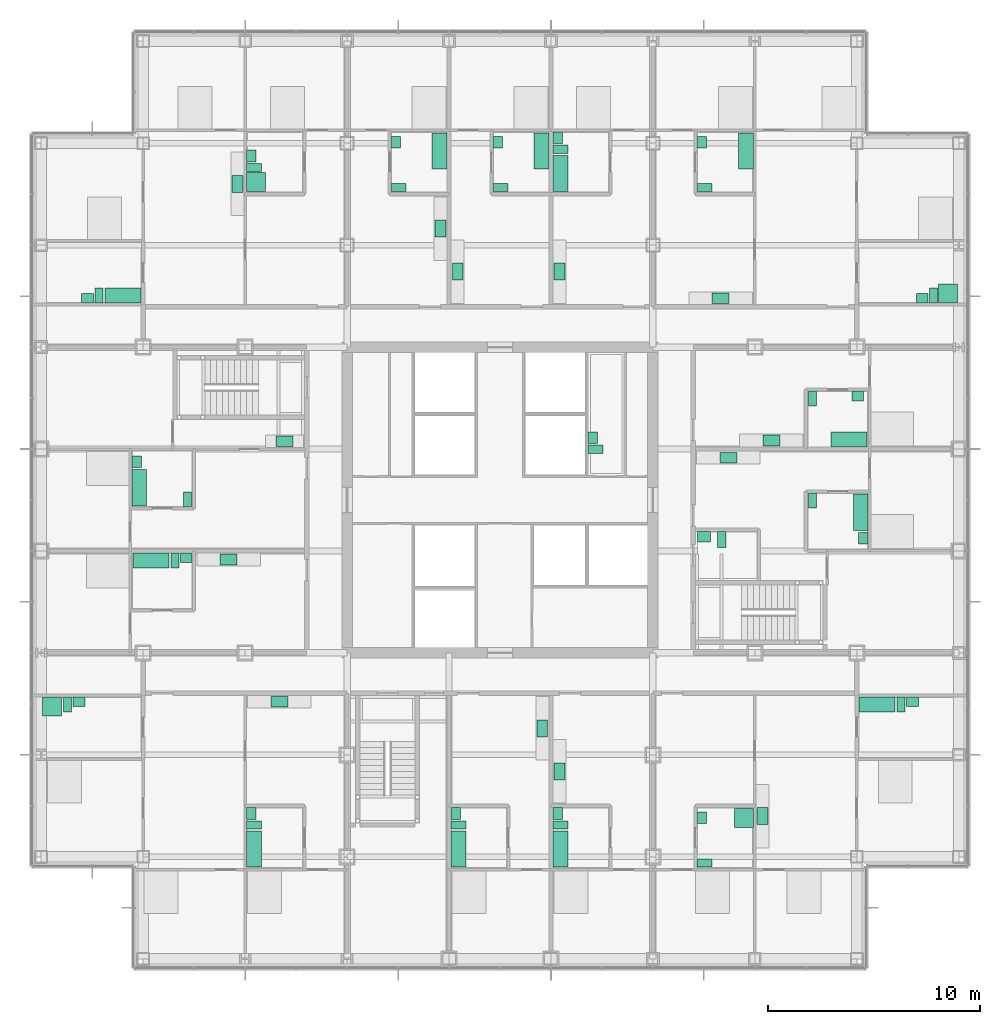
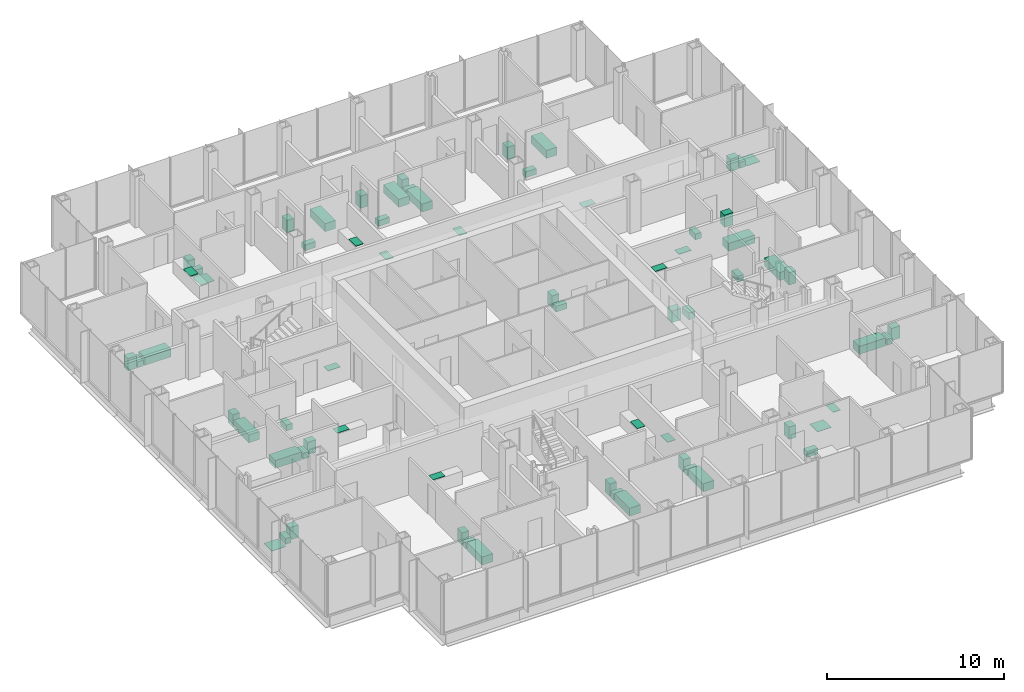
# One storey, part 20 of 21: 68 sanitary terminals.
"""IFC4 building model written with IfcOpenShell, lengths in metres."""

from ifc_helpers import new_model, si_unit, direction, frame, origin, origin_2d, place, context, subcontext, project, spatial, rectangle, extrude, material, type_object, element, save


model = new_model("IFC4")

# Units and contexts
model_context = context("Model", 3, precision=1e-05, world=origin(), true_north=direction((0.0, 1.0)))
body_context = subcontext(model_context, "Body", "Model", "MODEL_VIEW")
ifc_project = project(units=[si_unit("LENGTHUNIT", "METRE"), si_unit("AREAUNIT", "SQUARE_METRE"), si_unit("VOLUMEUNIT", "CUBIC_METRE"), si_unit("PLANEANGLEUNIT", "RADIAN"), si_unit("MASSUNIT", "GRAM", prefix="KILO")], contexts=[model_context])

# Site, building, storey
site_placement = place(None, origin())
site = spatial("IfcSite", under=ifc_project, at=site_placement, CompositionType="ELEMENT")
building_placement = place(site_placement, origin())
building = spatial("IfcBuilding", under=site, at=building_placement, Name="Kvirike Care Tower", CompositionType="ELEMENT")
storey_placement = place(building_placement, frame((0.0, 0.0, 55.0)))
storey = spatial("IfcBuildingStorey", under=building, at=storey_placement, Name="L14", CompositionType="ELEMENT", Elevation=55.0)

# Sanitary terminals
ifc_material_1 = material(Name="Vitreous china", Category="ceramic")
sanitary_terminal_type_1 = type_object("IfcSanitaryTerminalType", Name="ACCESSIBLE WASH BASIN 600 x 500", PredefinedType="WASHHANDBASIN", material=ifc_material_1)
sanitary_terminal_1_placement = place(storey_placement, frame((31.199951171875, 34.27294921875, 0.02001953125), z_axis=(0.0, 0.0, 1.0), x_axis=(1.0, 0.0, 0.0)))
element("IfcSanitaryTerminal", 1, at=sanitary_terminal_1_placement, inside=storey, type_object=sanitary_terminal_type_1, Name="Accessible wash basin L14-058", PredefinedType="WASHHANDBASIN", context=body_context, shape_type="SweptSolid", body=[
    extrude(rectangle(XDim=0.60009765625, YDim=0.5, at=origin_2d()), origin(), (0.0, 0.0, 1.0), 0.800048828125),
])
ifc_material_2 = material(Name="Vitreous china", Category="ceramic")
sanitary_terminal_type_2 = type_object("IfcSanitaryTerminalType", Name="ACCESSIBLE WC PAN 400 x 750", PredefinedType="TOILETPAN", material=ifc_material_2)
sanitary_terminal_2_placement = place(storey_placement, frame((32.050048828125, 34.14794921875, 0.02001953125), z_axis=(0.0, 0.0, 1.0), x_axis=(1.0, 0.0, 0.0)))
element("IfcSanitaryTerminal", 2, at=sanitary_terminal_2_placement, inside=storey, type_object=sanitary_terminal_type_2, Name="Accessible WC pan L14-058", PredefinedType="TOILETPAN", context=body_context, shape_type="SweptSolid", body=[
    extrude(rectangle(XDim=0.39990234375, YDim=0.75, at=origin_2d()), origin(), (0.0, 0.0, 1.0), 0.47998046875),
])
ifc_material_3 = material(Name="Enamelled steel", Category="steel")
sanitary_terminal_type_3 = type_object("IfcSanitaryTerminalType", Name="BATH 1700 x 700", PredefinedType="BATH", material=ifc_material_3)
for number, where, z_axis, x_axis, name in (
    (3, (10.011962890625, 19.56005859375, 0.02001953125), (0.0, 0.0, 1.0), (0.0, 1.0, 0.0), "Bath L14-006"),
    (4, (4.612060546875, 36.574951171875, 0.02001953125), (0.0, 0.0, 1.0), (0.0, 1.0, 0.0), "Bath L14-013"),
    (5, (5.159912109375, 33.14794921875, 0.02001953125), (0.0, 0.0, 1.0), (1.0, 0.0, 0.0), "Bath L14-017"),
    (6, (3.85009765625, 45.626953125, 0.02001953125), (0.0, 0.0, 1.0), (-1.0, 0.0, 0.0), "Bath L14-024"),
    (7, (19.652099609375, 19.56005859375, 0.02001953125), (0.0, 0.0, 1.0), (0.0, 1.0, 0.0), "Bath L14-031"),
    (8, (24.451904296875, 19.56005859375, 0.02001953125), (0.0, 0.0, 1.0), (0.0, 1.0, 0.0), "Bath L14-034"),
    (9, (24.451904296875, 51.375, 0.02001953125), (0.0, 0.0, 1.0), (0.0, 1.0, 0.0), "Bath L14-038"),
    (10, (23.548095703125, 52.43994140625, 0.02001953125), (0.0, 0.0, 1.0), (0.0, -1.0, 0.0), "Bath L14-041"),
    (11, (18.748046875, 52.43994140625, 0.02001953125), (0.0, 0.0, 1.0), (0.0, -1.0, 0.0), "Bath L14-044"),
    (12, (39.35009765625, 26.373046875, 0.02001953125), (0.0, 0.0, 1.0), (1.0, 0.0, 0.0), "Bath L14-051"),
    (13, (38.587890625, 35.425048828125, 0.02001953125), (0.0, 0.0, 1.0), (0.0, -1.0, 0.0), "Bath L14-059"),
    (14, (38.0400390625, 38.85205078125, 0.02001953125), (0.0, 0.0, 1.0), (-1.0, 0.0, 0.0), "Bath L14-062"),
    (15, (33.18798828125, 52.43994140625, 0.02001953125), (0.0, 0.0, 1.0), (0.0, -1.0, 0.0), "Bath L14-069"),
):
    element("IfcSanitaryTerminal", number, at=place(storey_placement, frame(where, z_axis=z_axis, x_axis=x_axis)), inside=storey, type_object=sanitary_terminal_type_3, Name=name, PredefinedType="BATH", context=body_context, shape_type="SweptSolid", body=[
        extrude(rectangle(XDim=1.699951171875, YDim=0.699951171875, at=origin_2d()), origin(), (0.0, 0.0, 1.0), 0.550048828125),
    ])
ifc_material_4 = material(Name="Stainless steel", Category="steel")
sanitary_terminal_type_4 = type_object("IfcSanitaryTerminalType", Name="KITCHEN SINK 800 x 500", PredefinedType="SINK", material=ifc_material_4)
for number, where, z_axis, x_axis, name in (
    (16, (11.2099609375, 26.498046875, 0.89990234375), (0.0, 0.0, 1.0), (1.0, 0.0, 0.0), "Kitchen sink L14-008"),
    (17, (11.449951171875, 38.761962890625, 0.89990234375), (0.0, 0.0, 1.0), (-1.0, 0.0, 0.0), "Kitchen sink L14-014"),
    (18, (8.824951171875, 33.197998046875, 0.89990234375), (0.0, 0.0, 1.0), (1.0, 0.0, 0.0), "Kitchen sink L14-018"),
    (19, (9.238037109375, 50.889892578125, 0.89990234375), (0.0, 0.0, 1.0), (0.0, -1.0, 0.0), "Kitchen sink L14-026"),
    (20, (23.597900390625, 25.25, 0.89990234375), (0.0, 0.0, 1.0), (0.0, -1.0, 0.0), "Kitchen sink L14-032"),
    (21, (24.402099609375, 23.22509765625, 0.89990234375), (0.0, 0.0, 1.0), (0.0, 1.0, 0.0), "Kitchen sink L14-035"),
    (22, (24.402099609375, 46.75, 0.89990234375), (0.0, 0.0, 1.0), (0.0, 1.0, 0.0), "Kitchen sink L14-039"),
    (23, (19.60205078125, 46.75, 0.89990234375), (0.0, 0.0, 1.0), (0.0, 1.0, 0.0), "Kitchen sink L14-042"),
    (24, (18.798095703125, 48.77490234375, 0.89990234375), (0.0, 0.0, 1.0), (0.0, -1.0, 0.0), "Kitchen sink L14-045"),
    (25, (33.9619140625, 21.110107421875, 0.89990234375), (0.0, 0.0, 1.0), (0.0, 1.0, 0.0), "Kitchen sink L14-053"),
    (26, (32.35009765625, 37.998046875, 0.89990234375), (0.0, 0.0, 1.0), (1.0, 0.0, 0.0), "Kitchen sink L14-060"),
    (27, (34.375, 38.802001953125, 0.89990234375), (0.0, 0.0, 1.0), (-1.0, 0.0, 0.0), "Kitchen sink L14-063"),
    (28, (31.989990234375, 45.501953125, 0.89990234375), (0.0, 0.0, 1.0), (-1.0, 0.0, 0.0), "Kitchen sink L14-071"),
):
    element("IfcSanitaryTerminal", number, at=place(storey_placement, frame(where, z_axis=z_axis, x_axis=x_axis)), inside=storey, type_object=sanitary_terminal_type_4, Name=name, PredefinedType="SINK", context=body_context, shape_type="SweptSolid", body=[
        extrude(rectangle(XDim=0.800048828125, YDim=0.5, at=origin_2d()), origin(), (0.0, 0.0, 1.0), 0.030029296875),
    ])
ifc_material_5 = material(Name="Stainless steel", Category="steel")
sanitary_terminal_type_5 = type_object("IfcSanitaryTerminalType", Name="LEVEL-ACCESS SHOWER 900 x 900", PredefinedType="SHOWER", material=ifc_material_5)
for number, where, z_axis, x_axis, name in (
    (29, (0.5, 26.27294921875, 0.02001953125), (0.0, 0.0, 1.0), (1.0, 0.0, 0.0), "Level-access shower L14-005"),
    (30, (10.112060546875, 50.97509765625, 0.02001953125), (0.0, 0.0, 1.0), (0.0, 1.0, 0.0), "Level-access shower L14-023"),
    (31, (33.087890625, 21.02490234375, 0.02001953125), (0.0, 0.0, 1.0), (0.0, -1.0, 0.0), "Level-access shower L14-050"),
    (32, (42.699951171875, 45.72705078125, 0.02001953125), (0.0, 0.0, 1.0), (-1.0, 0.0, 0.0), "Level-access shower L14-068"),
):
    element("IfcSanitaryTerminal", number, at=place(storey_placement, frame(where, z_axis=z_axis, x_axis=x_axis)), inside=storey, type_object=sanitary_terminal_type_5, Name=name, PredefinedType="SHOWER", context=body_context, shape_type="SweptSolid", body=[
        extrude(rectangle(XDim=0.89990234375, YDim=0.89990234375, at=origin_2d()), origin(), (0.0, 0.0, 1.0), 0.02001953125),
    ])
ifc_material_6 = material(Name="Vitreous china", Category="ceramic")
sanitary_terminal_type_6 = type_object("IfcSanitaryTerminalType", Name="WASH BASIN 550 x 450", PredefinedType="WASHHANDBASIN", material=ifc_material_6)
for number, where, z_axis, x_axis, name in (
    (33, (1.77490234375, 26.498046875, 0.02001953125), (0.0, 0.0, 1.0), (1.0, 0.0, 0.0), "Wash basin L14-005"),
    (34, (9.886962890625, 21.235107421875, 0.02001953125), (0.0, 0.0, 1.0), (0.0, 1.0, 0.0), "Wash basin L14-006"),
    (35, (4.487060546875, 37.800048828125, 0.02001953125), (0.0, 0.0, 1.0), (0.0, 1.0, 0.0), "Wash basin L14-013"),
    (36, (6.8349609375, 33.27294921875, 0.02001953125), (0.0, 0.0, 1.0), (1.0, 0.0, 0.0), "Wash basin L14-017"),
    (37, (9.886962890625, 52.199951171875, 0.02001953125), (0.0, 0.0, 1.0), (0.0, 1.0, 0.0), "Wash basin L14-023"),
    (38, (2.175048828125, 45.501953125, 0.02001953125), (0.0, 0.0, 1.0), (-1.0, 0.0, 0.0), "Wash basin L14-024"),
    (39, (19.527099609375, 21.235107421875, 0.02001953125), (0.0, 0.0, 1.0), (0.0, 1.0, 0.0), "Wash basin L14-031"),
    (40, (24.326904296875, 21.235107421875, 0.02001953125), (0.0, 0.0, 1.0), (0.0, 1.0, 0.0), "Wash basin L14-034"),
    (41, (24.326904296875, 53.050048828125, 0.02001953125), (0.0, 0.0, 1.0), (0.0, 1.0, 0.0), "Wash basin L14-038"),
    (42, (21.501953125, 52.85009765625, 0.02001953125), (0.0, 0.0, 1.0), (0.0, 1.0, 0.0), "Wash basin L14-041"),
    (43, (16.701904296875, 52.85009765625, 0.02001953125), (0.0, 0.0, 1.0), (0.0, 1.0, 0.0), "Wash basin L14-044"),
    (44, (31.10205078125, 21.034912109375, 0.02001953125), (0.0, 0.0, 1.0), (0.0, 1.0, 0.0), "Wash basin L14-050"),
    (45, (41.02490234375, 26.498046875, 0.02001953125), (0.0, 0.0, 1.0), (1.0, 0.0, 0.0), "Wash basin L14-051"),
    (46, (38.712890625, 34.199951171875, 0.02001953125), (0.0, 0.0, 1.0), (0.0, -1.0, 0.0), "Wash basin L14-059"),
    (47, (38.449951171875, 40.89794921875, 0.02001953125), (0.0, 0.0, 1.0), (1.0, 0.0, 0.0), "Wash basin L14-062"),
    (48, (41.47509765625, 45.501953125, 0.02001953125), (0.0, 0.0, 1.0), (-1.0, 0.0, 0.0), "Wash basin L14-068"),
    (49, (31.10205078125, 52.85009765625, 0.02001953125), (0.0, 0.0, 1.0), (0.0, 1.0, 0.0), "Wash basin L14-069"),
    (50, (25.97705078125, 38.925048828125, 0.02001953125), (0.0, 0.0, 1.0), (0.0, 1.0, 0.0), "Wash basin L14-079"),
):
    element("IfcSanitaryTerminal", number, at=place(storey_placement, frame(where, z_axis=z_axis, x_axis=x_axis)), inside=storey, type_object=sanitary_terminal_type_6, Name=name, PredefinedType="WASHHANDBASIN", context=body_context, shape_type="SweptSolid", body=[
        extrude(rectangle(XDim=0.550048828125, YDim=0.449951171875, at=origin_2d()), origin(), (0.0, 0.0, 1.0), 0.85009765625),
    ])
ifc_material_7 = material(Name="Vitreous china", Category="ceramic")
sanitary_terminal_type_7 = type_object("IfcSanitaryTerminalType", Name="WC PAN 380 x 700", PredefinedType="TOILETPAN", material=ifc_material_7)
for number, where, z_axis, x_axis, name in (
    (51, (1.239990234375, 26.373046875, 0.02001953125), (0.0, 0.0, 1.0), (1.0, 0.0, 0.0), "WC pan L14-005"),
    (52, (10.011962890625, 20.699951171875, 0.02001953125), (0.0, 0.0, 1.0), (0.0, 1.0, 0.0), "WC pan L14-006"),
    (53, (6.885009765625, 36.027099609375, 0.02001953125), (0.0, 0.0, 1.0), (-1.0, 0.0, 0.0), "WC pan L14-013"),
    (54, (6.300048828125, 33.14794921875, 0.02001953125), (0.0, 0.0, 1.0), (1.0, 0.0, 0.0), "WC pan L14-017"),
    (55, (10.011962890625, 51.6650390625, 0.02001953125), (0.0, 0.0, 1.0), (0.0, 1.0, 0.0), "WC pan L14-023"),
    (56, (2.7099609375, 45.626953125, 0.02001953125), (0.0, 0.0, 1.0), (-1.0, 0.0, 0.0), "WC pan L14-024"),
    (57, (19.652099609375, 20.699951171875, 0.02001953125), (0.0, 0.0, 1.0), (0.0, 1.0, 0.0), "WC pan L14-031"),
    (58, (24.451904296875, 20.699951171875, 0.02001953125), (0.0, 0.0, 1.0), (0.0, 1.0, 0.0), "WC pan L14-034"),
    (59, (24.451904296875, 52.514892578125, 0.02001953125), (0.0, 0.0, 1.0), (0.0, 1.0, 0.0), "WC pan L14-038"),
    (60, (21.626953125, 50.715087890625, 0.02001953125), (0.0, 0.0, 1.0), (0.0, 1.0, 0.0), "WC pan L14-041"),
    (61, (16.826904296875, 50.715087890625, 0.02001953125), (0.0, 0.0, 1.0), (0.0, 1.0, 0.0), "WC pan L14-044"),
    (62, (31.22705078125, 18.89990234375, 0.02001953125), (0.0, 0.0, 1.0), (0.0, 1.0, 0.0), "WC pan L14-050"),
    (63, (40.489990234375, 26.373046875, 0.02001953125), (0.0, 0.0, 1.0), (1.0, 0.0, 0.0), "WC pan L14-051"),
    (64, (36.31494140625, 35.972900390625, 0.02001953125), (0.0, 0.0, 1.0), (1.0, 0.0, 0.0), "WC pan L14-059"),
    (65, (36.31494140625, 40.77294921875, 0.02001953125), (0.0, 0.0, 1.0), (1.0, 0.0, 0.0), "WC pan L14-062"),
    (66, (42.010009765625, 45.626953125, 0.02001953125), (0.0, 0.0, 1.0), (-1.0, 0.0, 0.0), "WC pan L14-068"),
    (67, (31.22705078125, 50.715087890625, 0.02001953125), (0.0, 0.0, 1.0), (0.0, 1.0, 0.0), "WC pan L14-069"),
    (68, (26.10205078125, 38.389892578125, 0.02001953125), (0.0, 0.0, 1.0), (0.0, 1.0, 0.0), "WC pan L14-079"),
):
    element("IfcSanitaryTerminal", number, at=place(storey_placement, frame(where, z_axis=z_axis, x_axis=x_axis)), inside=storey, type_object=sanitary_terminal_type_7, Name=name, PredefinedType="TOILETPAN", context=body_context, shape_type="SweptSolid", body=[
        extrude(rectangle(XDim=0.3798828125, YDim=0.699951171875, at=origin_2d()), origin(), (0.0, 0.0, 1.0), 0.39990234375),
    ])

save(model, "model.ifc")
